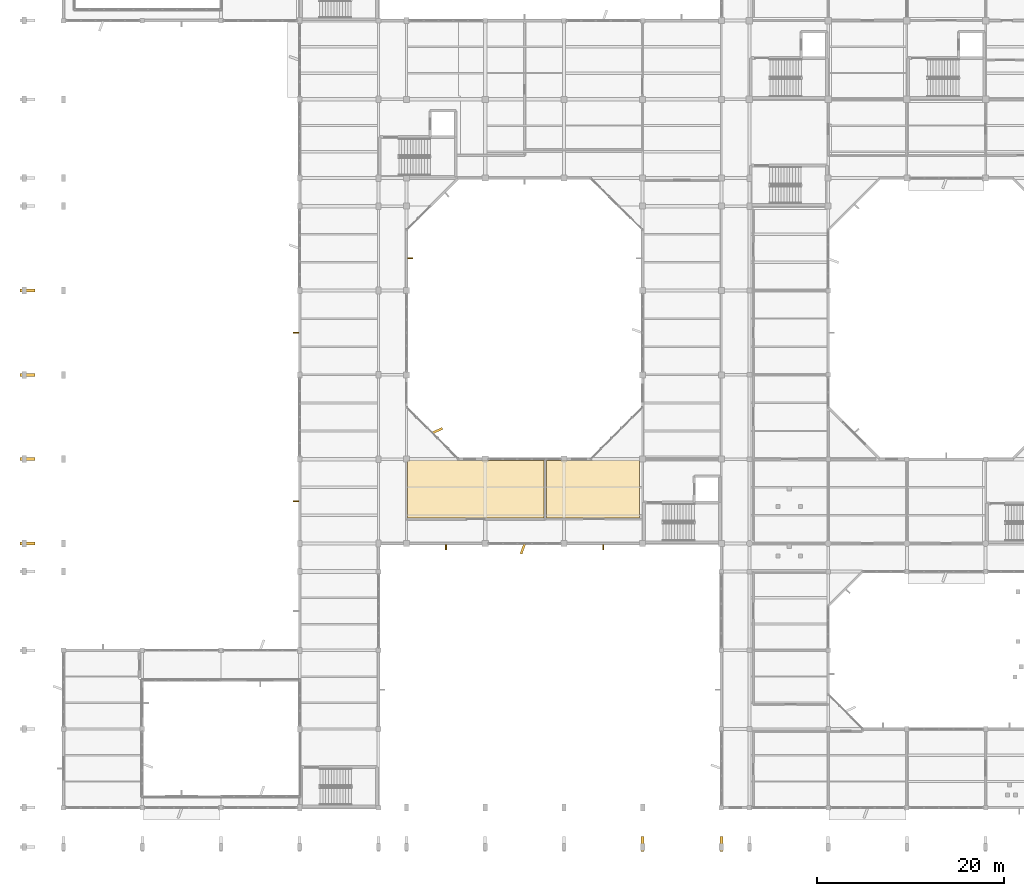
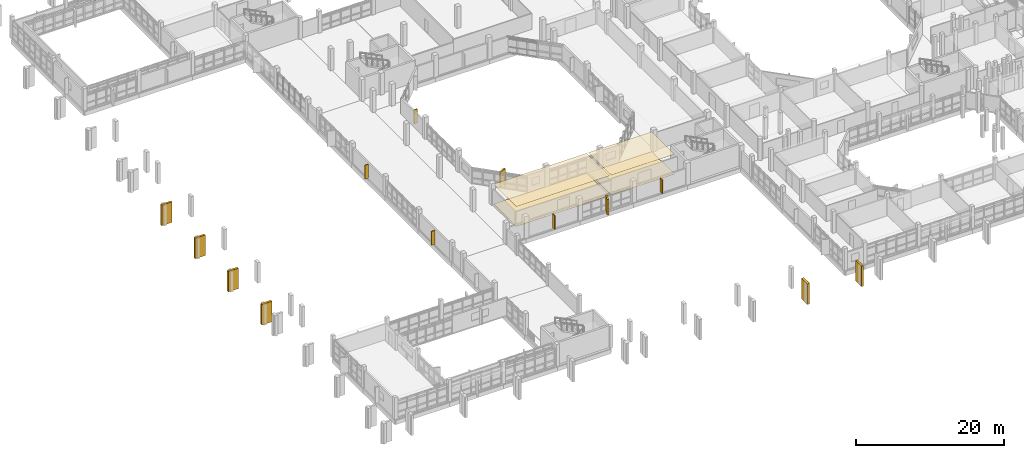
# One storey, part 79 of 104: 12 coverings, 5 shading devices.
"""IFC4 building model written with IfcOpenShell, lengths in metres."""

from ifc_helpers import new_model, si_unit, direction, frame, origin, origin_2d, place, context, subcontext, project, spatial, polyline, rectangle, outline, extrude, material, layer, layer_set, type_object, element, save


model = new_model("IFC4")

# Units and contexts
model_context = context("Model", 3, precision=1e-05, world=origin(), true_north=direction((0.0, 1.0)))
body_context = subcontext(model_context, "Body", "Model", "MODEL_VIEW")
ifc_project = project(units=[si_unit("LENGTHUNIT", "METRE"), si_unit("AREAUNIT", "SQUARE_METRE"), si_unit("VOLUMEUNIT", "CUBIC_METRE"), si_unit("PLANEANGLEUNIT", "RADIAN"), si_unit("MASSUNIT", "GRAM", prefix="KILO")], contexts=[model_context])

# Site, building, storey
site_placement = place(None, origin())
site = spatial("IfcSite", under=ifc_project, at=site_placement, CompositionType="ELEMENT")
building_placement = place(site_placement, origin())
building = spatial("IfcBuilding", under=site, at=building_placement, Name="Vanh Quang Courtyard School", CompositionType="ELEMENT")
storey_placement = place(building_placement, frame((0.0, 0.0, 4.199951171875)))
storey = spatial("IfcBuildingStorey", under=building, at=storey_placement, Name="L01", CompositionType="ELEMENT", Elevation=4.199951171875)

# Coverings
ifc_material_1 = material(Name="Perforated mineral-fibre acoustic ceiling board")
ifc_layer_1 = layer(ifc_material_1, 0.02490234375)
ifc_layer_set_1 = layer_set([ifc_layer_1], Name="Perforated mineral-fibre acoustic ceiling board")
covering_type_1 = type_object("IfcCoveringType", Name="COV-CEIL-ACOUSTIC", PredefinedType="CEILING", material=ifc_layer_set_1)
covering_1_placement = place(storey_placement, frame((0.0, 0.0, 3.275146484375)))
element("IfcCovering", 1, at=covering_1_placement, inside=storey, type_object=covering_type_1, Name="Covering CV-CL1 (L01)", PredefinedType="CEILING", context=body_context, shape_type="SweptSolid", body=[
    extrude(outline(polyline([(55.469970703125, 35.139892578125), (55.469970703125, 35.138916015625), (55.4697265625, 35.137939453125), (55.469482421875, 35.13720703125), (55.46923828125, 35.13623046875), (55.46875, 35.13525390625), (55.46826171875, 35.134521484375), (55.4677734375, 35.1337890625), (55.467041015625, 35.1328125), (55.46630859375, 35.13232421875), (55.465576171875, 35.131591796875), (55.464599609375, 35.131103515625), (55.4638671875, 35.130859375), (55.462890625, 35.13037109375), (55.4619140625, 35.130126953125), (55.4609375, 35.1298828125), (55.4599609375, 35.1298828125), (40.93994140625, 35.1298828125), (40.93896484375, 35.1298828125), (40.93798828125, 35.130126953125), (40.93701171875, 35.13037109375), (40.936279296875, 35.130859375), (40.935302734375, 35.131103515625), (40.934326171875, 35.131591796875), (40.93359375, 35.13232421875), (40.932861328125, 35.1328125), (40.932373046875, 35.1337890625), (40.931640625, 35.134521484375), (40.93115234375, 35.13525390625), (40.930908203125, 35.13623046875), (40.930419921875, 35.13720703125), (40.93017578125, 35.137939453125), (40.929931640625, 35.138916015625), (40.929931640625, 35.139892578125), (40.929931640625, 41.260009765625), (40.929931640625, 41.260986328125), (40.93017578125, 41.261962890625), (40.930419921875, 41.262939453125), (40.930908203125, 41.263916015625), (40.93115234375, 41.2646484375), (40.931640625, 41.265625), (40.932373046875, 41.266357421875), (40.932861328125, 41.26708984375), (40.93359375, 41.267578125), (40.934326171875, 41.268310546875), (40.935302734375, 41.268798828125), (40.936279296875, 41.269287109375), (40.93701171875, 41.26953125), (40.93798828125, 41.269775390625), (40.93896484375, 41.27001953125), (40.93994140625, 41.27001953125), (55.4599609375, 41.27001953125), (55.4609375, 41.27001953125), (55.4619140625, 41.269775390625), (55.462890625, 41.26953125), (55.4638671875, 41.269287109375), (55.464599609375, 41.268798828125), (55.465576171875, 41.268310546875), (55.46630859375, 41.267578125), (55.467041015625, 41.26708984375), (55.4677734375, 41.266357421875), (55.46826171875, 41.265625), (55.46875, 41.2646484375), (55.46923828125, 41.263916015625), (55.469482421875, 41.262939453125), (55.4697265625, 41.261962890625), (55.469970703125, 41.260986328125), (55.469970703125, 41.260009765625), (55.469970703125, 35.139892578125)])), origin(), (0.0, 0.0, 1.0), 0.02490234375),
])
covering_2_placement = place(storey_placement, frame((0.0, 0.0, 3.275146484375)))
element("IfcCovering", 2, at=covering_2_placement, inside=storey, type_object=covering_type_1, Name="Covering CV-CL1 (L01)", PredefinedType="CEILING", context=body_context, shape_type="SweptSolid", body=[
    extrude(outline(polyline([(55.760009765625, 35.1298828125), (55.759033203125, 35.1298828125), (55.758056640625, 35.130126953125), (55.757080078125, 35.13037109375), (55.756103515625, 35.130859375), (55.75537109375, 35.131103515625), (55.75439453125, 35.131591796875), (55.753662109375, 35.13232421875), (55.7529296875, 35.1328125), (55.752197265625, 35.1337890625), (55.751708984375, 35.134521484375), (55.751220703125, 35.13525390625), (55.750732421875, 35.13623046875), (55.75048828125, 35.13720703125), (55.750244140625, 35.137939453125), (55.75, 35.138916015625), (55.75, 35.139892578125), (55.75, 41.260009765625), (55.75, 41.260986328125), (55.750244140625, 41.261962890625), (55.75048828125, 41.262939453125), (55.750732421875, 41.263916015625), (55.751220703125, 41.2646484375), (55.751708984375, 41.265625), (55.752197265625, 41.266357421875), (55.7529296875, 41.26708984375), (55.753662109375, 41.267578125), (55.75439453125, 41.268310546875), (55.75537109375, 41.268798828125), (55.756103515625, 41.269287109375), (55.757080078125, 41.26953125), (55.758056640625, 41.269775390625), (55.759033203125, 41.27001953125), (55.760009765625, 41.27001953125), (65.64990234375, 41.27001953125), (65.64990234375, 35.1298828125), (55.760009765625, 35.1298828125)])), origin(), (0.0, 0.0, 1.0), 0.02490234375),
])
ifc_material_2 = material(Name="Polished cementitious terrazzo tile", Category="concrete")
ifc_layer_2 = layer(ifc_material_2, 0.02001953125)
ifc_layer_set_2 = layer_set([ifc_layer_2], Name="Polished cementitious terrazzo tile")
covering_type_2 = type_object("IfcCoveringType", Name="COV-FLR-TERRAZZO", PredefinedType="FLOORING", material=ifc_layer_set_2)
covering_3_placement = place(storey_placement, origin())
element("IfcCovering", 3, at=covering_3_placement, inside=storey, type_object=covering_type_2, Name="Covering CV-FL1 (L01)", PredefinedType="FLOORING", context=body_context, shape_type="SweptSolid", body=[
    extrude(outline(polyline([(55.469970703125, 35.139892578125), (55.469970703125, 35.138916015625), (55.4697265625, 35.137939453125), (55.469482421875, 35.13720703125), (55.46923828125, 35.13623046875), (55.46875, 35.13525390625), (55.46826171875, 35.134521484375), (55.4677734375, 35.1337890625), (55.467041015625, 35.1328125), (55.46630859375, 35.13232421875), (55.465576171875, 35.131591796875), (55.464599609375, 35.131103515625), (55.4638671875, 35.130859375), (55.462890625, 35.13037109375), (55.4619140625, 35.130126953125), (55.4609375, 35.1298828125), (55.4599609375, 35.1298828125), (40.93994140625, 35.1298828125), (40.93896484375, 35.1298828125), (40.93798828125, 35.130126953125), (40.93701171875, 35.13037109375), (40.936279296875, 35.130859375), (40.935302734375, 35.131103515625), (40.934326171875, 35.131591796875), (40.93359375, 35.13232421875), (40.932861328125, 35.1328125), (40.932373046875, 35.1337890625), (40.931640625, 35.134521484375), (40.93115234375, 35.13525390625), (40.930908203125, 35.13623046875), (40.930419921875, 35.13720703125), (40.93017578125, 35.137939453125), (40.929931640625, 35.138916015625), (40.929931640625, 35.139892578125), (40.929931640625, 41.260009765625), (40.929931640625, 41.260986328125), (40.93017578125, 41.261962890625), (40.930419921875, 41.262939453125), (40.930908203125, 41.263916015625), (40.93115234375, 41.2646484375), (40.931640625, 41.265625), (40.932373046875, 41.266357421875), (40.932861328125, 41.26708984375), (40.93359375, 41.267578125), (40.934326171875, 41.268310546875), (40.935302734375, 41.268798828125), (40.936279296875, 41.269287109375), (40.93701171875, 41.26953125), (40.93798828125, 41.269775390625), (40.93896484375, 41.27001953125), (40.93994140625, 41.27001953125), (55.4599609375, 41.27001953125), (55.4609375, 41.27001953125), (55.4619140625, 41.269775390625), (55.462890625, 41.26953125), (55.4638671875, 41.269287109375), (55.464599609375, 41.268798828125), (55.465576171875, 41.268310546875), (55.46630859375, 41.267578125), (55.467041015625, 41.26708984375), (55.4677734375, 41.266357421875), (55.46826171875, 41.265625), (55.46875, 41.2646484375), (55.46923828125, 41.263916015625), (55.469482421875, 41.262939453125), (55.4697265625, 41.261962890625), (55.469970703125, 41.260986328125), (55.469970703125, 41.260009765625), (55.469970703125, 35.139892578125)])), origin(), (0.0, 0.0, 1.0), 0.02001953125),
])
covering_4_placement = place(storey_placement, origin())
element("IfcCovering", 4, at=covering_4_placement, inside=storey, type_object=covering_type_2, Name="Covering CV-FL1 (L01)", PredefinedType="FLOORING", context=body_context, shape_type="SweptSolid", body=[
    extrude(outline(polyline([(55.760009765625, 35.1298828125), (55.759033203125, 35.1298828125), (55.758056640625, 35.130126953125), (55.757080078125, 35.13037109375), (55.756103515625, 35.130859375), (55.75537109375, 35.131103515625), (55.75439453125, 35.131591796875), (55.753662109375, 35.13232421875), (55.7529296875, 35.1328125), (55.752197265625, 35.1337890625), (55.751708984375, 35.134521484375), (55.751220703125, 35.13525390625), (55.750732421875, 35.13623046875), (55.75048828125, 35.13720703125), (55.750244140625, 35.137939453125), (55.75, 35.138916015625), (55.75, 35.139892578125), (55.75, 41.260009765625), (55.75, 41.260986328125), (55.750244140625, 41.261962890625), (55.75048828125, 41.262939453125), (55.750732421875, 41.263916015625), (55.751220703125, 41.2646484375), (55.751708984375, 41.265625), (55.752197265625, 41.266357421875), (55.7529296875, 41.26708984375), (55.753662109375, 41.267578125), (55.75439453125, 41.268310546875), (55.75537109375, 41.268798828125), (55.756103515625, 41.269287109375), (55.757080078125, 41.26953125), (55.758056640625, 41.269775390625), (55.759033203125, 41.27001953125), (55.760009765625, 41.27001953125), (65.64990234375, 41.27001953125), (65.64990234375, 35.1298828125), (55.760009765625, 35.1298828125)])), origin(), (0.0, 0.0, 1.0), 0.02001953125),
])
ifc_material_3 = material(Name="Board-marked precast concrete C40/50", Category="concrete")
ifc_layer_3 = layer(ifc_material_3, 0.239990234375)
ifc_layer_set_3 = layer_set([ifc_layer_3], Name="Board-marked precast concrete C40/50")
covering_type_3 = type_object("IfcCoveringType", Name="COV-HOOD-CONC", PredefinedType="CLADDING", material=ifc_layer_set_3)
for number, where, z_axis, x_axis, name in (
    (5, (53.2099609375, 31.81494140625, 0.0), (0.0, 0.0, 1.0), (-0.340379550213, -0.94028812701, 0.0), "Covering CH-01 (L01)"),
    (6, (44.1201171875, 44.451416015625, 0.0), (0.0, 0.0, 1.0), (0.905494748453, 0.424357467855, 0.0), "Covering CH-01 (L01)"),
):
    element("IfcCovering", number, at=place(storey_placement, frame(where, z_axis=z_axis, x_axis=x_axis)), inside=storey, type_object=covering_type_3, Name=name, PredefinedType="CLADDING", context=body_context, shape_type="SweptSolid", body=[
        extrude(rectangle(XDim=1.11669921875, YDim=0.239990234375, at=origin_2d()), origin(), (0.0, 0.0, 1.0), 2.56005859375),
    ])
for number, where, z_axis, x_axis, name in (
    (7, (0.35009765625, 32.39990234375, 0.0), (0.0, 0.0, 1.0), (1.0, 0.0, 0.0), "Covering CH-01 (L01)"),
    (8, (0.35009765625, 41.39990234375, 0.0), (0.0, 0.0, 1.0), (1.0, 0.0, 0.0), "Covering CH-01 (L01)"),
    (9, (0.35009765625, 50.39990234375, 0.0), (0.0, 0.0, 1.0), (1.0, 0.0, 0.0), "Covering CH-01 (L01)"),
    (10, (0.35009765625, 59.39990234375, 0.0), (0.0, 0.0, 1.0), (1.0, 0.0, 0.0), "Covering CH-01 (L01)"),
    (11, (66.0, 0.35009765625, 0.0), (0.0, 0.0, 1.0), (0.0, 1.0, 0.0), "Covering CH-01 (L01)"),
    (12, (74.39990234375, 0.35009765625, 0.0), (0.0, 0.0, 1.0), (0.0, 1.0, 0.0), "Covering CH-01 (L01)"),
):
    element("IfcCovering", number, at=place(storey_placement, frame(where, z_axis=z_axis, x_axis=x_axis)), inside=storey, type_object=covering_type_3, Name=name, PredefinedType="CLADDING", context=body_context, shape_type="SweptSolid", body=[
        extrude(rectangle(XDim=1.60009765625, YDim=0.320068359375, at=origin_2d()), origin(), (0.0, 0.0, 1.0), 3.3798828125),
    ])

# Shading devices
shading_device_type = type_object("IfcShadingDeviceType", Name="SHD-FIN-CONCRETE", PredefinedType="USERDEFINED", material=ifc_material_3)
for number, where, z_axis, x_axis, name in (
    (13, (29.0048828125, 36.89990234375, 0.14990234375), (0.0, 0.0, 1.0), (0.0, 1.0, 0.0), "Solar Shading SH-02 (L01)"),
    (14, (29.0048828125, 54.89990234375, 0.14990234375), (0.0, 0.0, 1.0), (0.0, 1.0, 0.0), "Solar Shading SH-02 (L01)"),
):
    element("IfcShadingDevice", number, at=place(storey_placement, frame(where, z_axis=z_axis, x_axis=x_axis)), inside=storey, type_object=shading_device_type, Name=name, ObjectType="Solar Shading SH-02 (L01)", PredefinedType="USERDEFINED", context=body_context, shape_type="SweptSolid", body=[
        extrude(rectangle(XDim=0.139892578125, YDim=0.550048828125, at=origin_2d()), origin(), (0.0, 0.0, 1.0), 2.280029296875),
    ])
for number, where, z_axis, x_axis, name in (
    (15, (61.800048828125, 32.0048828125, 0.14990234375), (0.0, 0.0, 1.0), (-1.0, 0.0, 0.0), "Solar Shading SH-02 (L01)"),
    (16, (45.0, 32.0048828125, 0.14990234375), (0.0, 0.0, 1.0), (-1.0, 0.0, 0.0), "Solar Shading SH-02 (L01)"),
    (17, (41.195068359375, 62.849609375, 0.14990234375), (0.0, 0.0, 1.0), (0.0, -1.0, 0.0), "Solar Shading SH-02 (L01)"),
):
    element("IfcShadingDevice", number, at=place(storey_placement, frame(where, z_axis=z_axis, x_axis=x_axis)), inside=storey, type_object=shading_device_type, Name=name, ObjectType="Solar Shading SH-02 (L01)", PredefinedType="USERDEFINED", context=body_context, shape_type="SweptSolid", body=[
        extrude(rectangle(XDim=0.139892578125, YDim=0.550048828125, at=origin_2d()), origin(), (0.0, 0.0, 1.0), 2.300048828125),
    ])

save(model, "model.ifc")
